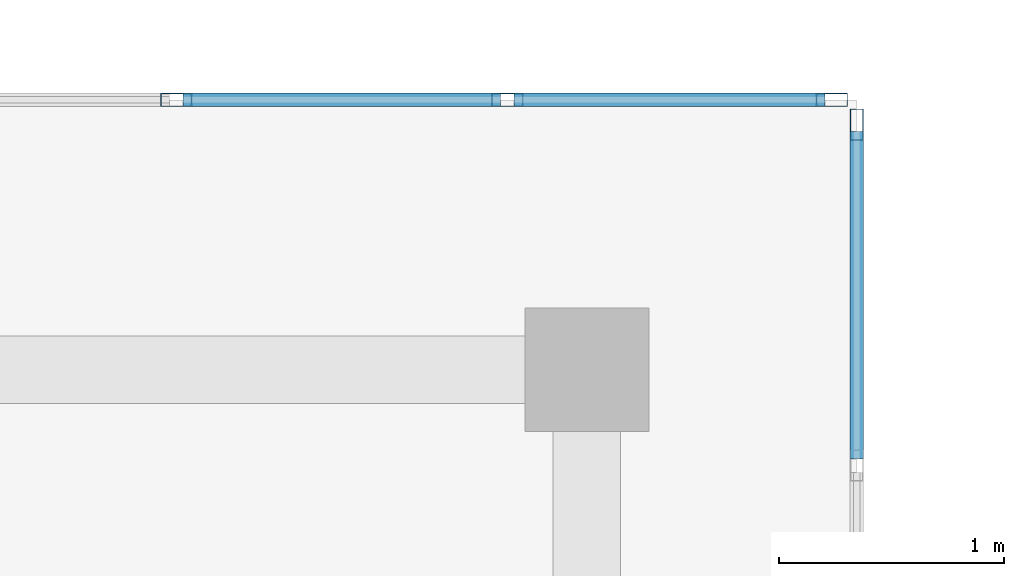
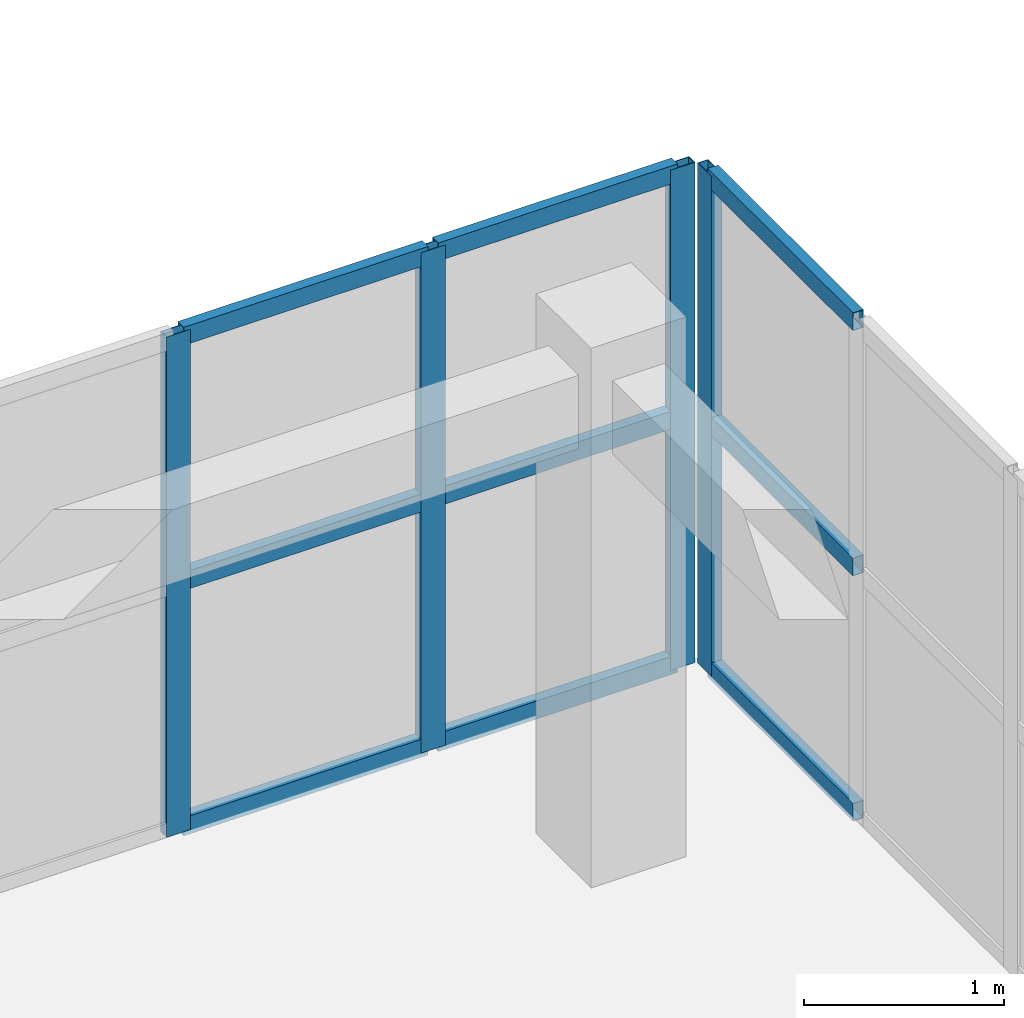
# One storey, part 82 of 148: 13 members, 2 elements without a shape of their own.
"""IFC4 building model written with IfcOpenShell, lengths in metres."""

from ifc_helpers import new_model, si_unit, direction, frame, origin, origin_2d, place, context, subcontext, project, spatial, hollow_rectangle, extrude, material, layer, layer_set, material_profile, profile_set, type_object, element, aggregate, save


model = new_model("IFC4")

# Units and contexts
model_context = context("Model", 3, precision=1e-05, world=origin(), true_north=direction((0.0, 1.0)))
body_context = subcontext(model_context, "Body", "Model", "MODEL_VIEW")
ifc_project = project(units=[si_unit("LENGTHUNIT", "METRE"), si_unit("AREAUNIT", "SQUARE_METRE"), si_unit("VOLUMEUNIT", "CUBIC_METRE"), si_unit("PLANEANGLEUNIT", "RADIAN"), si_unit("MASSUNIT", "GRAM", prefix="KILO")], contexts=[model_context])

# Site, building, storey
site_placement = place(None, origin())
site = spatial("IfcSite", under=ifc_project, at=site_placement, CompositionType="ELEMENT")
building_placement = place(site_placement, origin())
building = spatial("IfcBuilding", under=site, at=building_placement, Name="Trelvath General Hospital", CompositionType="ELEMENT")
storey_placement = place(building_placement, frame((0.0, 0.0, 12.89990234375)))
storey = spatial("IfcBuildingStorey", under=building, at=storey_placement, Name="L03", CompositionType="ELEMENT", Elevation=12.89990234375)

# Curtain wall, members
ifc_material_1 = material(Name="Anodised aluminium and low-E glass", Category="aluminium")
ifc_layer_1 = layer(ifc_material_1, 0.14990234375)
ifc_layer_set_1 = layer_set([ifc_layer_1], Name="Anodised aluminium and low-E glass")
curtain_wall_type_1 = type_object("IfcCurtainWallType", Name="CW CrystalCube 737 306 15", PredefinedType="USERDEFINED", material=ifc_layer_set_1)
curtain_wall_1_placement = place(storey_placement, origin())
curtain_wall_1 = element("IfcCurtainWall", 1, at=curtain_wall_1_placement, inside=storey, type_object=curtain_wall_type_1, Name="Crystal Cube Curtain Wall CUBE-E-T1 N3 L03", ObjectType="Unitised Glazed Curtain Wall", PredefinedType="USERDEFINED")
ifc_material_2 = material(Name="Anodised aluminium", Category="aluminium")
ifc_material_profile_1 = material_profile(ifc_material_2, hollow_rectangle(XDim=0.06005859375, YDim=0.139892578125, WallThickness=0.00390625, at=origin_2d()), Name="RHS60x140x4")
ifc_profile_set_1 = profile_set([ifc_material_profile_1], Name="Anodised aluminium")
member_type_1 = type_object("IfcMemberType", Name="CurtainMullion 60x140", PredefinedType="MULLION", material=ifc_profile_set_1)
member_1_placement = place(storey_placement, frame((111.7734375, 80.39990234375, 0.0), z_axis=(0.0, 0.0, 1.0), x_axis=(0.0, 1.0, 0.0)))
member_1 = element("IfcMember", 2, at=member_1_placement, type_object=member_type_1, Name="CW-249 mullion 4", PredefinedType="MULLION", context=body_context, shape_type="SweptSolid", body=[
    extrude(hollow_rectangle(XDim=0.06005859375, YDim=0.139892578125, WallThickness=0.00390625, at=origin_2d()), origin(), (0.0, 0.0, 1.0), 3.06005859375),
])
member_2_placement = place(storey_placement, frame((113.24658203125, 80.39990234375, 0.0), z_axis=(0.0, 0.0, 1.0), x_axis=(0.0, 1.0, 0.0)))
member_2 = element("IfcMember", 3, at=member_2_placement, type_object=member_type_1, Name="CW-249 mullion 5", PredefinedType="MULLION", context=body_context, shape_type="SweptSolid", body=[
    extrude(hollow_rectangle(XDim=0.06005859375, YDim=0.139892578125, WallThickness=0.00390625, at=origin_2d()), origin(), (0.0, 0.0, 1.0), 3.06005859375),
])
member_3_placement = place(storey_placement, frame((114.68994140625, 80.39990234375, 0.0), z_axis=(0.0, 0.0, 1.0), x_axis=(0.0, 1.0, 0.0)))
member_3 = element("IfcMember", 4, at=member_3_placement, type_object=member_type_1, Name="CW-249 mullion 6", PredefinedType="MULLION", context=body_context, shape_type="SweptSolid", body=[
    extrude(hollow_rectangle(XDim=0.06005859375, YDim=0.139892578125, WallThickness=0.00390625, at=origin_2d()), origin(), (0.0, 0.0, 1.0), 3.06005859375),
])

# Curtain wall, member
ifc_material_3 = material(Name="Anodised aluminium and low-E glass", Category="aluminium")
ifc_layer_2 = layer(ifc_material_3, 0.14990234375)
ifc_layer_set_2 = layer_set([ifc_layer_2], Name="Anodised aluminium and low-E glass")
curtain_wall_type_2 = type_object("IfcCurtainWallType", Name="CW CrystalCube 464 306 15", PredefinedType="USERDEFINED", material=ifc_layer_set_2)
curtain_wall_2_placement = place(storey_placement, origin())
curtain_wall_2 = element("IfcCurtainWall", 5, at=curtain_wall_2_placement, inside=storey, type_object=curtain_wall_type_2, Name="Crystal Cube Curtain Wall CUBE-E-T1 E5 L03", ObjectType="Unitised Glazed Curtain Wall", PredefinedType="USERDEFINED")
member_4_placement = place(storey_placement, frame((114.800048828125, 80.2900390625, 0.0), z_axis=(0.0, 0.0, 1.0), x_axis=(1.0, 0.0, 0.0)))
member_4 = element("IfcMember", 6, at=member_4_placement, type_object=member_type_1, Name="CW-256 mullion 1", PredefinedType="MULLION", context=body_context, shape_type="SweptSolid", body=[
    extrude(hollow_rectangle(XDim=0.06005859375, YDim=0.139892578125, WallThickness=0.00390625, at=origin_2d()), origin(), (0.0, 0.0, 1.0), 3.06005859375),
])

# Member
ifc_material_4 = material(Name="Anodised aluminium", Category="aluminium")
ifc_material_profile_2 = material_profile(ifc_material_4, hollow_rectangle(XDim=0.06005859375, YDim=0.110107421875, WallThickness=0.00390625, at=origin_2d()), Name="RHS60x110x4")
ifc_profile_set_2 = profile_set([ifc_material_profile_2], Name="Anodised aluminium")
member_type_2 = type_object("IfcMemberType", Name="CurtainTransom 60x110", PredefinedType="USERDEFINED", material=ifc_profile_set_2)
member_5_placement = place(storey_placement, frame((111.80322265625, 80.39990234375, 0.030029296875), z_axis=(1.0, 0.0, 0.0), x_axis=(0.0, 1.0, 0.0)))
member_5 = element("IfcMember", 7, at=member_5_placement, type_object=member_type_2, Name="CW-249 transom 4.1", ObjectType="TRANSOM", PredefinedType="USERDEFINED", context=body_context, shape_type="SweptSolid", body=[
    extrude(hollow_rectangle(XDim=0.06005859375, YDim=0.110107421875, WallThickness=0.00390625, at=origin_2d()), origin(), (0.0, 0.0, 1.0), 1.413330078125),
])

member_6_placement = place(storey_placement, frame((111.80322265625, 80.39990234375, 1.530029296875), z_axis=(1.0, 0.0, 0.0), x_axis=(0.0, 1.0, 0.0)))
member_6 = element("IfcMember", 8, at=member_6_placement, type_object=member_type_2, Name="CW-249 transom 4.2", ObjectType="TRANSOM", PredefinedType="USERDEFINED", context=body_context, shape_type="SweptSolid", body=[
    extrude(hollow_rectangle(XDim=0.06005859375, YDim=0.110107421875, WallThickness=0.00390625, at=origin_2d()), origin(), (0.0, 0.0, 1.0), 1.413330078125),
])

member_7_placement = place(storey_placement, frame((111.80322265625, 80.39990234375, 3.030029296875), z_axis=(1.0, 0.0, 0.0), x_axis=(0.0, 1.0, 0.0)))
member_7 = element("IfcMember", 9, at=member_7_placement, type_object=member_type_2, Name="CW-249 transom 4.3", ObjectType="TRANSOM", PredefinedType="USERDEFINED", context=body_context, shape_type="SweptSolid", body=[
    extrude(hollow_rectangle(XDim=0.06005859375, YDim=0.110107421875, WallThickness=0.00390625, at=origin_2d()), origin(), (0.0, 0.0, 1.0), 1.413330078125),
])

member_8_placement = place(storey_placement, frame((113.276611328125, 80.39990234375, 0.030029296875), z_axis=(1.0, 0.0, 0.0), x_axis=(0.0, 1.0, 0.0)))
member_8 = element("IfcMember", 10, at=member_8_placement, type_object=member_type_2, Name="CW-249 transom 5.1", ObjectType="TRANSOM", PredefinedType="USERDEFINED", context=body_context, shape_type="SweptSolid", body=[
    extrude(hollow_rectangle(XDim=0.06005859375, YDim=0.110107421875, WallThickness=0.00390625, at=origin_2d()), origin(), (0.0, 0.0, 1.0), 1.38330078125),
])

member_9_placement = place(storey_placement, frame((113.276611328125, 80.39990234375, 1.530029296875), z_axis=(1.0, 0.0, 0.0), x_axis=(0.0, 1.0, 0.0)))
member_9 = element("IfcMember", 11, at=member_9_placement, type_object=member_type_2, Name="CW-249 transom 5.2", ObjectType="TRANSOM", PredefinedType="USERDEFINED", context=body_context, shape_type="SweptSolid", body=[
    extrude(hollow_rectangle(XDim=0.06005859375, YDim=0.110107421875, WallThickness=0.00390625, at=origin_2d()), origin(), (0.0, 0.0, 1.0), 1.38330078125),
])

member_10_placement = place(storey_placement, frame((113.276611328125, 80.39990234375, 3.030029296875), z_axis=(1.0, 0.0, 0.0), x_axis=(0.0, 1.0, 0.0)))
member_10 = element("IfcMember", 12, at=member_10_placement, type_object=member_type_2, Name="CW-249 transom 5.3", ObjectType="TRANSOM", PredefinedType="USERDEFINED", context=body_context, shape_type="SweptSolid", body=[
    extrude(hollow_rectangle(XDim=0.06005859375, YDim=0.110107421875, WallThickness=0.00390625, at=origin_2d()), origin(), (0.0, 0.0, 1.0), 1.38330078125),
])

aggregate(curtain_wall_1, [member_1, member_2, member_3, member_5, member_6, member_7, member_8, member_9, member_10])

member_11_placement = place(storey_placement, frame((114.800048828125, 80.260009765625, 0.030029296875), z_axis=(0.0, -1.0, 0.0), x_axis=(1.0, 0.0, 0.0)))
member_11 = element("IfcMember", 13, at=member_11_placement, type_object=member_type_2, Name="CW-256 transom 1.1", ObjectType="TRANSOM", PredefinedType="USERDEFINED", context=body_context, shape_type="SweptSolid", body=[
    extrude(hollow_rectangle(XDim=0.06005859375, YDim=0.110107421875, WallThickness=0.00390625, at=origin_2d()), origin(), (0.0, 0.0, 1.0), 1.456787109375),
])

member_12_placement = place(storey_placement, frame((114.800048828125, 80.260009765625, 1.530029296875), z_axis=(0.0, -1.0, 0.0), x_axis=(1.0, 0.0, 0.0)))
member_12 = element("IfcMember", 14, at=member_12_placement, type_object=member_type_2, Name="CW-256 transom 1.2", ObjectType="TRANSOM", PredefinedType="USERDEFINED", context=body_context, shape_type="SweptSolid", body=[
    extrude(hollow_rectangle(XDim=0.06005859375, YDim=0.110107421875, WallThickness=0.00390625, at=origin_2d()), origin(), (0.0, 0.0, 1.0), 1.456787109375),
])

member_13_placement = place(storey_placement, frame((114.800048828125, 80.260009765625, 3.030029296875), z_axis=(0.0, -1.0, 0.0), x_axis=(1.0, 0.0, 0.0)))
member_13 = element("IfcMember", 15, at=member_13_placement, type_object=member_type_2, Name="CW-256 transom 1.3", ObjectType="TRANSOM", PredefinedType="USERDEFINED", context=body_context, shape_type="SweptSolid", body=[
    extrude(hollow_rectangle(XDim=0.06005859375, YDim=0.110107421875, WallThickness=0.00390625, at=origin_2d()), origin(), (0.0, 0.0, 1.0), 1.456787109375),
])

aggregate(curtain_wall_2, [member_4, member_11, member_12, member_13])

save(model, "model.ifc")
